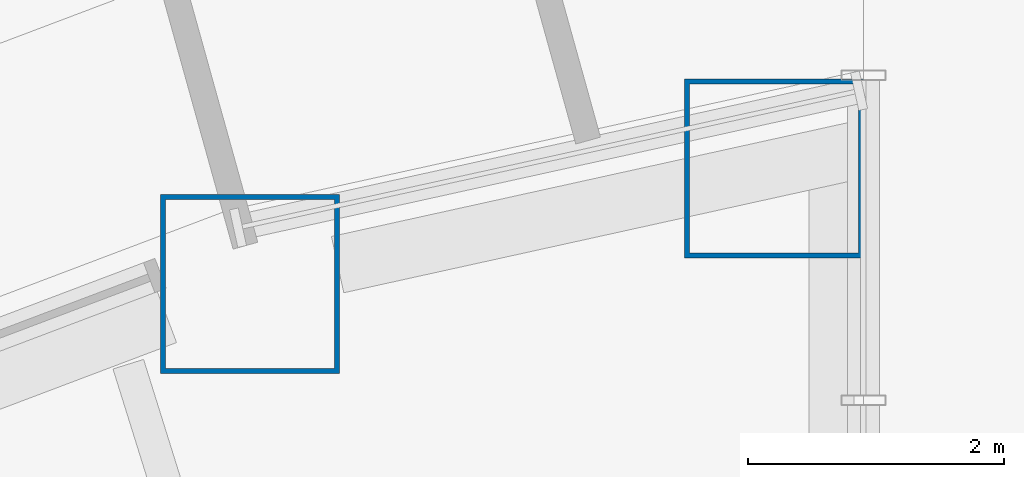
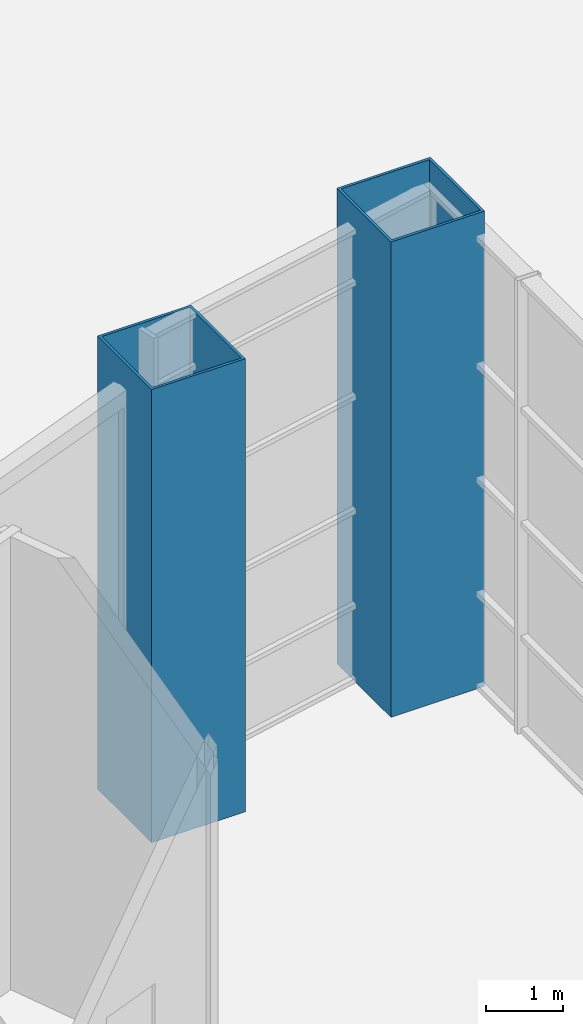
# One storey, part 6 of 45: 2 columns.
"""IFC4 building model written with IfcOpenShell, lengths in metres."""

from ifc_helpers import new_model, si_unit, direction, frame, origin, origin_2d, place, context, subcontext, project, spatial, hollow_rectangle, extrude, material, material_profile, profile_set, type_object, element, save


model = new_model("IFC4")

# Units and contexts
model_context = context("Model", 3, precision=1e-05, world=origin(), true_north=direction((0.0, 1.0)))
body_context = subcontext(model_context, "Body", "Model", "MODEL_VIEW")
ifc_project = project(units=[si_unit("LENGTHUNIT", "METRE"), si_unit("AREAUNIT", "SQUARE_METRE"), si_unit("VOLUMEUNIT", "CUBIC_METRE"), si_unit("PLANEANGLEUNIT", "RADIAN"), si_unit("MASSUNIT", "GRAM", prefix="KILO")], contexts=[model_context])

# Site, building, storey
site_placement = place(None, origin())
site = spatial("IfcSite", under=ifc_project, at=site_placement, CompositionType="ELEMENT")
building_placement = place(site_placement, origin())
building = spatial("IfcBuilding", under=site, at=building_placement, Name="Tuul Gate Civic Tower", CompositionType="ELEMENT")
storey_placement = place(building_placement, origin())
storey = spatial("IfcBuildingStorey", under=building, at=storey_placement, Name="Level 00", CompositionType="ELEMENT", Elevation=0.0)

# Columns
ifc_material = material(Name="Steel S355", Category="steel")
ifc_material_profile = material_profile(ifc_material, hollow_rectangle(XDim=1.39990234375, YDim=1.39990234375, WallThickness=0.0400390625, at=origin_2d()), Name="BOX1400x1400x40")
ifc_profile_set = profile_set([ifc_material_profile], Name="Steel S355")
column_type = type_object("IfcColumnType", Name="STR-COLUMN-BOX1400x1400x40", PredefinedType="COLUMN", material=ifc_profile_set)
column_1_placement = place(storey_placement, frame((-18.699951171875, 17.496826171875, 0.0), z_axis=(0.0, 0.0, 1.0), x_axis=(1.0, 0.0, 0.0)))
element("IfcColumn", 1, at=column_1_placement, inside=storey, type_object=column_type, Name="Arch jamb column", PredefinedType="COLUMN", context=body_context, shape_type="SweptSolid", body=[
    extrude(hollow_rectangle(XDim=1.39990234375, YDim=1.39990234375, WallThickness=0.0400390625, at=origin_2d()), origin(), (0.0, 0.0, 1.0), 7.5),
])
column_2_placement = place(storey_placement, frame((-22.7919921875, 16.594970703125, 0.0), z_axis=(0.0, 0.0, 1.0), x_axis=(1.0, 0.0, 0.0)))
element("IfcColumn", 2, at=column_2_placement, inside=storey, type_object=column_type, Name="Column", PredefinedType="COLUMN", context=body_context, shape_type="SweptSolid", body=[
    extrude(hollow_rectangle(XDim=1.39990234375, YDim=1.39990234375, WallThickness=0.0400390625, at=origin_2d()), origin(), (0.0, 0.0, 1.0), 7.14990234375),
])

save(model, "model.ifc")
